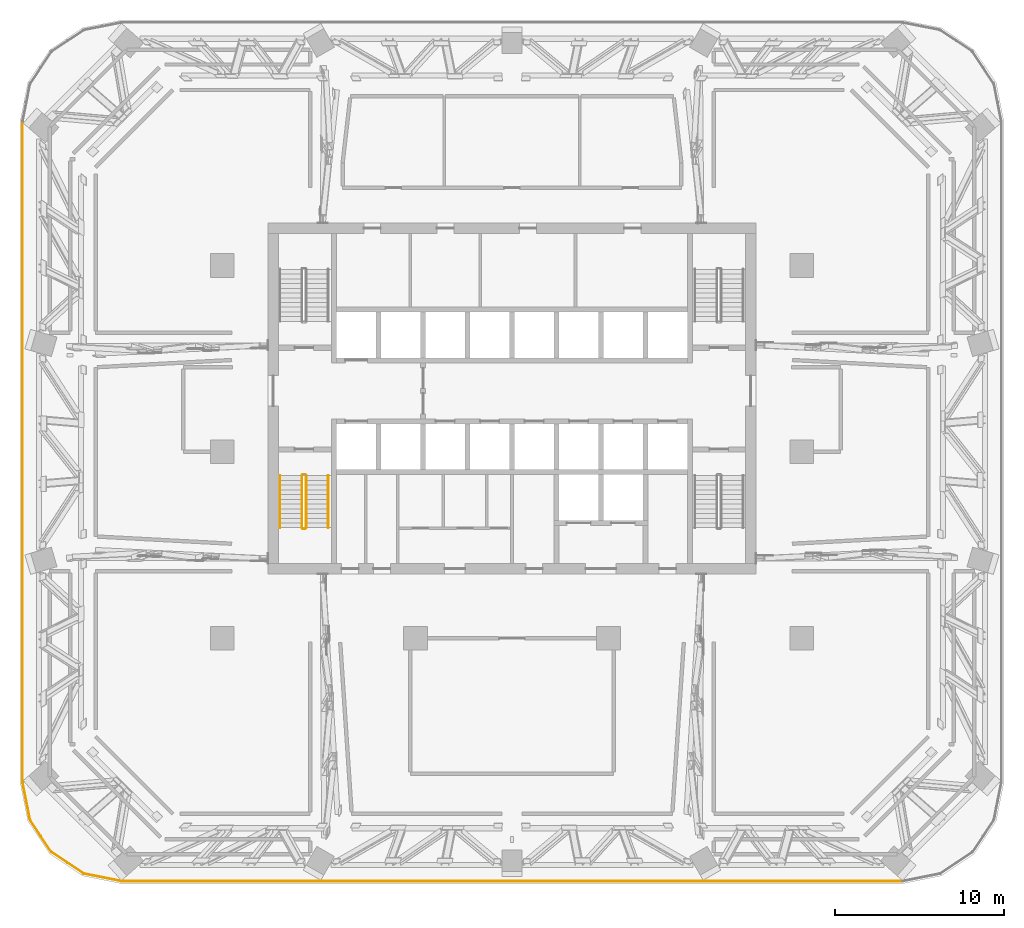
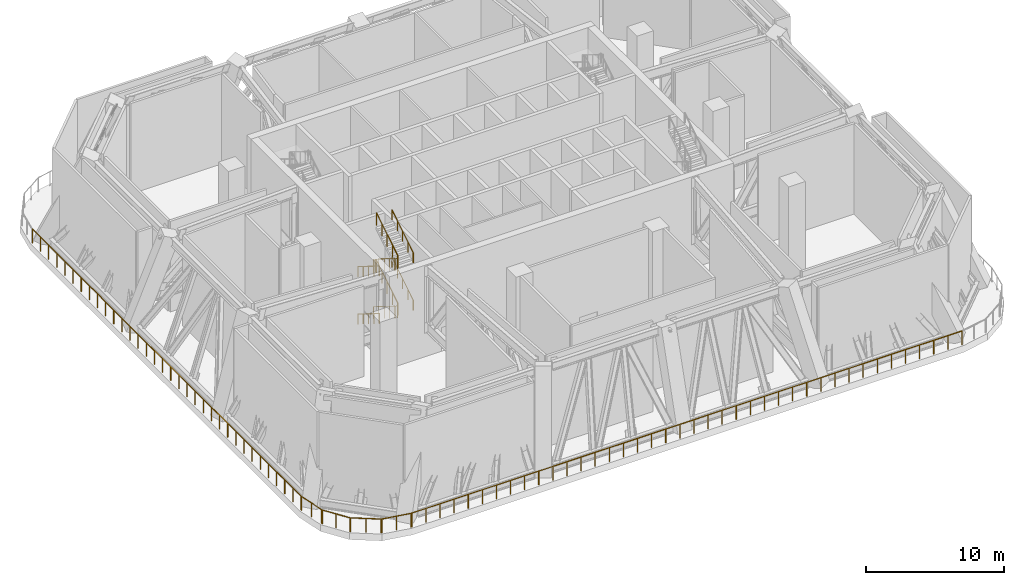
# One storey, part 18 of 24: 14 railings.
"""IFC4 building model written with IfcOpenShell, lengths in metres."""

from ifc_helpers import new_model, si_unit, direction, frame, origin, origin_2d, place, context, subcontext, project, spatial, circle, extrude, material, type_object, element, save


model = new_model("IFC4")

# Units and contexts
model_context = context("Model", 3, precision=1e-05, world=origin(), true_north=direction((0.0, 1.0)))
body_context = subcontext(model_context, "Body", "Model", "MODEL_VIEW")
ifc_project = project(units=[si_unit("LENGTHUNIT", "METRE"), si_unit("AREAUNIT", "SQUARE_METRE"), si_unit("VOLUMEUNIT", "CUBIC_METRE"), si_unit("PLANEANGLEUNIT", "RADIAN"), si_unit("MASSUNIT", "GRAM", prefix="KILO")], contexts=[model_context])

# Site, building, storey
site_placement = place(None, origin())
site = spatial("IfcSite", under=ifc_project, at=site_placement, CompositionType="ELEMENT")
building_placement = place(site_placement, origin())
building = spatial("IfcBuilding", under=site, at=building_placement, Name="Mopane Tessera Tower", CompositionType="ELEMENT")
storey_placement = place(building_placement, frame((0.0, 0.0, 148.60009765625)))
storey = spatial("IfcBuildingStorey", under=building, at=storey_placement, Name="L30", CompositionType="ELEMENT", Elevation=148.60009765625)

# Railings
ifc_material_1 = material(Name="Powder-coated steel balustrade", Category="steel")
railing_type_1 = type_object("IfcRailingType", Name="Escape stair guard 1100 mm", PredefinedType="GUARDRAIL", material=ifc_material_1)
railing_1_placement = place(storey_placement, frame((-12.39990234375, -1.39990234375, 0.1748046875)))
element("IfcRailing", 1, at=railing_1_placement, inside=storey, type_object=railing_type_1, Name="L30 ST1 stair guard 1", PredefinedType="GUARDRAIL", context=body_context, shape_type="SweptSolid", body=[
    extrude(circle(Radius=0.02392578125, at=origin_2d()), frame((0.0, 0.0, 1.076171875), z_axis=(0.0, -0.847998304005, 0.529998940003), x_axis=(1.0, 0.0, 0.0)), (0.0, 0.0, 1.0), 3.632080078125),
    extrude(circle(Radius=0.02392578125, at=origin_2d()), frame((0.0, -3.080078125, 3.0009765625), z_axis=(0.705375805398, -0.708833529934, 0.0), x_axis=(0.708833529934, 0.705375805398, 0.0)), (0.0, 0.0, 1.0), 0.070556640625),
    extrude(circle(Radius=0.02392578125, at=origin_2d()), frame((0.0498046875, -3.130126953125, 3.0009765625), z_axis=(1.0, 0.0, 0.0), x_axis=(0.0, 1.0, 0.0)), (0.0, 0.0, 1.0), 0.150146484375),
    extrude(circle(Radius=0.02099609375, at=origin_2d()), origin(), (0.0, 0.0, 1.0), 1.052001953125),
    extrude(circle(Radius=0.02099609375, at=origin_2d()), frame((0.0, -0.77001953125, 0.481201171875)), (0.0, 0.0, 1.0), 1.052001953125),
    extrude(circle(Radius=0.02099609375, at=origin_2d()), frame((0.0, -1.5400390625, 0.96240234375)), (0.0, 0.0, 1.0), 1.052001953125),
    extrude(circle(Radius=0.02099609375, at=origin_2d()), frame((0.0, -2.31005859375, 1.44384765625)), (0.0, 0.0, 1.0), 1.052001953125),
    extrude(circle(Radius=0.02099609375, at=origin_2d()), frame((0.0, -3.080078125, 1.925048828125)), (0.0, 0.0, 1.0), 1.052001953125),
    extrude(circle(Radius=0.02099609375, at=origin_2d()), frame((0.0498046875, -3.130126953125, 1.925048828125)), (0.0, 0.0, 1.0), 1.052001953125),
    extrude(circle(Radius=0.02099609375, at=origin_2d()), frame((0.199951171875, -3.130126953125, 1.925048828125)), (0.0, 0.0, 1.0), 1.052001953125),
])
railing_2_placement = place(storey_placement, frame((-12.14990234375, -4.47998046875, 2.27490234375)))
element("IfcRailing", 2, at=railing_2_placement, inside=storey, type_object=railing_type_1, Name="L30 ST1 stair guard 2", PredefinedType="GUARDRAIL", context=body_context, shape_type="SweptSolid", body=[
    extrude(circle(Radius=0.02392578125, at=origin_2d()), frame((0.0, 0.0, 1.076171875), z_axis=(0.0, 0.847998304005, 0.529998940003), x_axis=(-1.0, 0.0, 0.0)), (0.0, 0.0, 1.0), 3.632080078125),
    extrude(circle(Radius=0.02392578125, at=origin_2d()), frame((0.0, 3.080078125, 3.0009765625), z_axis=(-0.708833529934, 0.705375805398, 0.0), x_axis=(-0.705375805398, -0.708833529934, 0.0)), (0.0, 0.0, 1.0), 0.070556640625),
    extrude(circle(Radius=0.02392578125, at=origin_2d()), frame((-0.050048828125, 3.1298828125, 3.0009765625), z_axis=(-1.0, 0.0, 0.0), x_axis=(0.0, -1.0, 0.0)), (0.0, 0.0, 1.0), 0.150146484375),
    extrude(circle(Radius=0.02099609375, at=origin_2d()), origin(), (0.0, 0.0, 1.0), 1.052001953125),
    extrude(circle(Radius=0.02099609375, at=origin_2d()), frame((0.0, 0.77001953125, 0.481201171875)), (0.0, 0.0, 1.0), 1.052001953125),
    extrude(circle(Radius=0.02099609375, at=origin_2d()), frame((0.0, 1.5400390625, 0.96240234375)), (0.0, 0.0, 1.0), 1.052001953125),
    extrude(circle(Radius=0.02099609375, at=origin_2d()), frame((0.0, 2.31005859375, 1.44384765625)), (0.0, 0.0, 1.0), 1.052001953125),
    extrude(circle(Radius=0.02099609375, at=origin_2d()), frame((0.0, 3.080078125, 1.925048828125)), (0.0, 0.0, 1.0), 1.052001953125),
    extrude(circle(Radius=0.02099609375, at=origin_2d()), frame((-0.050048828125, 3.1298828125, 1.925048828125)), (0.0, 0.0, 1.0), 1.052001953125),
    extrude(circle(Radius=0.02099609375, at=origin_2d()), frame((-0.2001953125, 3.1298828125, 1.925048828125)), (0.0, 0.0, 1.0), 1.052001953125),
])
railing_3_placement = place(storey_placement, frame((-12.39990234375, -1.39990234375, 4.375)))
element("IfcRailing", 3, at=railing_3_placement, inside=storey, type_object=railing_type_1, Name="L30 ST1 stair guard 3", PredefinedType="GUARDRAIL", context=body_context, shape_type="SweptSolid", body=[
    extrude(circle(Radius=0.02392578125, at=origin_2d()), frame((0.0, 0.0, 1.076171875), z_axis=(0.0, -0.848028513186, 0.529950602248), x_axis=(1.0, 0.0, 0.0)), (0.0, 0.0, 1.0), 3.632080078125),
    extrude(circle(Radius=0.02392578125, at=origin_2d()), frame((0.0, -3.080078125, 3.0009765625), z_axis=(0.705375805398, -0.708833529934, 0.0), x_axis=(0.708833529934, 0.705375805398, 0.0)), (0.0, 0.0, 1.0), 0.070556640625),
    extrude(circle(Radius=0.02392578125, at=origin_2d()), frame((0.0498046875, -3.130126953125, 3.0009765625), z_axis=(1.0, 0.0, 0.0), x_axis=(0.0, 1.0, 0.0)), (0.0, 0.0, 1.0), 0.150146484375),
    extrude(circle(Radius=0.02099609375, at=origin_2d()), origin(), (0.0, 0.0, 1.0), 1.052001953125),
    extrude(circle(Radius=0.02099609375, at=origin_2d()), frame((0.0, -0.77001953125, 0.481201171875)), (0.0, 0.0, 1.0), 1.052001953125),
    extrude(circle(Radius=0.02099609375, at=origin_2d()), frame((0.0, -1.5400390625, 0.96240234375)), (0.0, 0.0, 1.0), 1.052001953125),
    extrude(circle(Radius=0.02099609375, at=origin_2d()), frame((0.0, -2.31005859375, 1.443603515625)), (0.0, 0.0, 1.0), 1.052001953125),
    extrude(circle(Radius=0.02099609375, at=origin_2d()), frame((0.0, -3.080078125, 1.9248046875)), (0.0, 0.0, 1.0), 1.052001953125),
    extrude(circle(Radius=0.02099609375, at=origin_2d()), frame((0.0498046875, -3.130126953125, 1.9248046875)), (0.0, 0.0, 1.0), 1.052001953125),
    extrude(circle(Radius=0.02099609375, at=origin_2d()), frame((0.199951171875, -3.130126953125, 1.9248046875)), (0.0, 0.0, 1.0), 1.052001953125),
])
railing_4_placement = place(storey_placement, frame((-12.14990234375, -4.47998046875, 6.474853515625)))
element("IfcRailing", 4, at=railing_4_placement, inside=storey, type_object=railing_type_1, Name="L30 ST1 stair guard 4", PredefinedType="GUARDRAIL", context=body_context, shape_type="SweptSolid", body=[
    extrude(circle(Radius=0.02392578125, at=origin_2d()), frame((0.0, 0.0, 1.076171875), z_axis=(0.0, 0.847998304005, 0.529998940003), x_axis=(-1.0, 0.0, 0.0)), (0.0, 0.0, 1.0), 3.632080078125),
    extrude(circle(Radius=0.02099609375, at=origin_2d()), origin(), (0.0, 0.0, 1.0), 1.052001953125),
    extrude(circle(Radius=0.02099609375, at=origin_2d()), frame((0.0, 0.77001953125, 0.481201171875)), (0.0, 0.0, 1.0), 1.052001953125),
    extrude(circle(Radius=0.02099609375, at=origin_2d()), frame((0.0, 1.5400390625, 0.96240234375)), (0.0, 0.0, 1.0), 1.052001953125),
    extrude(circle(Radius=0.02099609375, at=origin_2d()), frame((0.0, 2.31005859375, 1.44384765625)), (0.0, 0.0, 1.0), 1.052001953125),
    extrude(circle(Radius=0.02099609375, at=origin_2d()), frame((0.0, 3.080078125, 1.925048828125)), (0.0, 0.0, 1.0), 1.052001953125),
])
ifc_material_2 = material(Name="Powder-coated steel balustrade", Category="steel")
railing_type_2 = type_object("IfcRailingType", Name="Escape stair handrail 900 mm", PredefinedType="HANDRAIL", material=ifc_material_2)
railing_5_placement = place(storey_placement, frame((-13.699951171875, -1.39990234375, 0.1748046875)))
element("IfcRailing", 5, at=railing_5_placement, inside=storey, type_object=railing_type_2, Name="L30 ST1 stair handrail 1", PredefinedType="HANDRAIL", context=body_context, shape_type="SweptSolid", body=[
    extrude(circle(Radius=0.02392578125, at=origin_2d()), frame((0.0, 0.0, 0.8759765625), z_axis=(0.0, -0.847998304005, 0.529998940003), x_axis=(1.0, 0.0, 0.0)), (0.0, 0.0, 1.0), 3.632080078125),
    extrude(circle(Radius=0.02099609375, at=origin_2d()), origin(), (0.0, 0.0, 1.0), 0.851806640625),
    extrude(circle(Radius=0.02099609375, at=origin_2d()), frame((0.0, -0.77001953125, 0.481201171875)), (0.0, 0.0, 1.0), 0.851806640625),
    extrude(circle(Radius=0.02099609375, at=origin_2d()), frame((0.0, -1.5400390625, 0.96240234375)), (0.0, 0.0, 1.0), 0.851806640625),
    extrude(circle(Radius=0.02099609375, at=origin_2d()), frame((0.0, -2.31005859375, 1.44384765625)), (0.0, 0.0, 1.0), 0.851806640625),
    extrude(circle(Radius=0.02099609375, at=origin_2d()), frame((0.0, -3.080078125, 1.925048828125)), (0.0, 0.0, 1.0), 0.851806640625),
])
railing_6_placement = place(storey_placement, frame((-10.85009765625, -4.47998046875, 2.27490234375)))
element("IfcRailing", 6, at=railing_6_placement, inside=storey, type_object=railing_type_2, Name="L30 ST1 stair handrail 2", PredefinedType="HANDRAIL", context=body_context, shape_type="SweptSolid", body=[
    extrude(circle(Radius=0.02392578125, at=origin_2d()), frame((0.0, 0.0, 0.8759765625), z_axis=(0.0, 0.847998304005, 0.529998940003), x_axis=(-1.0, 0.0, 0.0)), (0.0, 0.0, 1.0), 3.632080078125),
    extrude(circle(Radius=0.02099609375, at=origin_2d()), origin(), (0.0, 0.0, 1.0), 0.851806640625),
    extrude(circle(Radius=0.02099609375, at=origin_2d()), frame((0.0, 0.77001953125, 0.481201171875)), (0.0, 0.0, 1.0), 0.851806640625),
    extrude(circle(Radius=0.02099609375, at=origin_2d()), frame((0.0, 1.5400390625, 0.96240234375)), (0.0, 0.0, 1.0), 0.851806640625),
    extrude(circle(Radius=0.02099609375, at=origin_2d()), frame((0.0, 2.31005859375, 1.44384765625)), (0.0, 0.0, 1.0), 0.851806640625),
    extrude(circle(Radius=0.02099609375, at=origin_2d()), frame((0.0, 3.080078125, 1.925048828125)), (0.0, 0.0, 1.0), 0.851806640625),
])
railing_7_placement = place(storey_placement, frame((-13.699951171875, -1.39990234375, 4.375)))
element("IfcRailing", 7, at=railing_7_placement, inside=storey, type_object=railing_type_2, Name="L30 ST1 stair handrail 3", PredefinedType="HANDRAIL", context=body_context, shape_type="SweptSolid", body=[
    extrude(circle(Radius=0.02392578125, at=origin_2d()), frame((0.0, 0.0, 0.8759765625), z_axis=(0.0, -0.848028513186, 0.529950602248), x_axis=(1.0, 0.0, 0.0)), (0.0, 0.0, 1.0), 3.632080078125),
    extrude(circle(Radius=0.02099609375, at=origin_2d()), origin(), (0.0, 0.0, 1.0), 0.851806640625),
    extrude(circle(Radius=0.02099609375, at=origin_2d()), frame((0.0, -0.77001953125, 0.481201171875)), (0.0, 0.0, 1.0), 0.851806640625),
    extrude(circle(Radius=0.02099609375, at=origin_2d()), frame((0.0, -1.5400390625, 0.96240234375)), (0.0, 0.0, 1.0), 0.851806640625),
    extrude(circle(Radius=0.02099609375, at=origin_2d()), frame((0.0, -2.31005859375, 1.443603515625)), (0.0, 0.0, 1.0), 0.851806640625),
    extrude(circle(Radius=0.02099609375, at=origin_2d()), frame((0.0, -3.080078125, 1.9248046875)), (0.0, 0.0, 1.0), 0.851806640625),
])
railing_8_placement = place(storey_placement, frame((-10.85009765625, -4.47998046875, 6.474853515625)))
element("IfcRailing", 8, at=railing_8_placement, inside=storey, type_object=railing_type_2, Name="L30 ST1 stair handrail 4", PredefinedType="HANDRAIL", context=body_context, shape_type="SweptSolid", body=[
    extrude(circle(Radius=0.02392578125, at=origin_2d()), frame((0.0, 0.0, 0.8759765625), z_axis=(0.0, 0.847998304005, 0.529998940003), x_axis=(-1.0, 0.0, 0.0)), (0.0, 0.0, 1.0), 3.632080078125),
    extrude(circle(Radius=0.02099609375, at=origin_2d()), origin(), (0.0, 0.0, 1.0), 0.851806640625),
    extrude(circle(Radius=0.02099609375, at=origin_2d()), frame((0.0, 0.77001953125, 0.481201171875)), (0.0, 0.0, 1.0), 0.851806640625),
    extrude(circle(Radius=0.02099609375, at=origin_2d()), frame((0.0, 1.5400390625, 0.96240234375)), (0.0, 0.0, 1.0), 0.851806640625),
    extrude(circle(Radius=0.02099609375, at=origin_2d()), frame((0.0, 2.31005859375, 1.44384765625)), (0.0, 0.0, 1.0), 0.851806640625),
    extrude(circle(Radius=0.02099609375, at=origin_2d()), frame((0.0, 3.080078125, 1.925048828125)), (0.0, 0.0, 1.0), 0.851806640625),
])
ifc_material_3 = material(Name="Stainless steel S316", Category="steel")
railing_type_3 = type_object("IfcRailingType", Name="Wind floor guard 1250", PredefinedType="GUARDRAIL", material=ifc_material_3)
railing_9_placement = place(storey_placement, frame((-23.02001953125, -25.35009765625, 0.0)))
element("IfcRailing", 9, at=railing_9_placement, inside=storey, type_object=railing_type_3, Name="e:og:L30:0", PredefinedType="GUARDRAIL", context=body_context, shape_type="SweptSolid", body=[
    extrude(circle(Radius=0.02392578125, at=origin_2d()), frame((0.0, 0.0, 1.22607421875), z_axis=(1.0, 0.0, 0.0), x_axis=(0.0, 1.0, 0.0)), (0.0, 0.0, 1.0), 46.0400390625),
    extrude(circle(Radius=0.02099609375, at=origin_2d()), origin(), (0.0, 0.0, 1.0), 1.201904296875),
    extrude(circle(Radius=0.02099609375, at=origin_2d()), frame((1.180419921875, 0.0, 0.0)), (0.0, 0.0, 1.0), 1.201904296875),
    extrude(circle(Radius=0.02099609375, at=origin_2d()), frame((2.361083984375, 0.0, 0.0)), (0.0, 0.0, 1.0), 1.201904296875),
    extrude(circle(Radius=0.02099609375, at=origin_2d()), frame((3.54150390625, 0.0, 0.0)), (0.0, 0.0, 1.0), 1.201904296875),
    extrude(circle(Radius=0.02099609375, at=origin_2d()), frame((4.72216796875, 0.0, 0.0)), (0.0, 0.0, 1.0), 1.201904296875),
    extrude(circle(Radius=0.02099609375, at=origin_2d()), frame((5.902587890625, 0.0, 0.0)), (0.0, 0.0, 1.0), 1.201904296875),
    extrude(circle(Radius=0.02099609375, at=origin_2d()), frame((7.0830078125, 0.0, 0.0)), (0.0, 0.0, 1.0), 1.201904296875),
    extrude(circle(Radius=0.02099609375, at=origin_2d()), frame((8.263671875, 0.0, 0.0)), (0.0, 0.0, 1.0), 1.201904296875),
    extrude(circle(Radius=0.02099609375, at=origin_2d()), frame((9.444091796875, 0.0, 0.0)), (0.0, 0.0, 1.0), 1.201904296875),
    extrude(circle(Radius=0.02099609375, at=origin_2d()), frame((10.62451171875, 0.0, 0.0)), (0.0, 0.0, 1.0), 1.201904296875),
    extrude(circle(Radius=0.02099609375, at=origin_2d()), frame((11.80517578125, 0.0, 0.0)), (0.0, 0.0, 1.0), 1.201904296875),
    extrude(circle(Radius=0.02099609375, at=origin_2d()), frame((12.985595703125, 0.0, 0.0)), (0.0, 0.0, 1.0), 1.201904296875),
    extrude(circle(Radius=0.02099609375, at=origin_2d()), frame((14.166259765625, 0.0, 0.0)), (0.0, 0.0, 1.0), 1.201904296875),
    extrude(circle(Radius=0.02099609375, at=origin_2d()), frame((15.3466796875, 0.0, 0.0)), (0.0, 0.0, 1.0), 1.201904296875),
    extrude(circle(Radius=0.02099609375, at=origin_2d()), frame((16.527099609375, 0.0, 0.0)), (0.0, 0.0, 1.0), 1.201904296875),
    extrude(circle(Radius=0.02099609375, at=origin_2d()), frame((17.707763671875, 0.0, 0.0)), (0.0, 0.0, 1.0), 1.201904296875),
    extrude(circle(Radius=0.02099609375, at=origin_2d()), frame((18.88818359375, 0.0, 0.0)), (0.0, 0.0, 1.0), 1.201904296875),
    extrude(circle(Radius=0.02099609375, at=origin_2d()), frame((20.06884765625, 0.0, 0.0)), (0.0, 0.0, 1.0), 1.201904296875),
    extrude(circle(Radius=0.02099609375, at=origin_2d()), frame((21.249267578125, 0.0, 0.0)), (0.0, 0.0, 1.0), 1.201904296875),
    extrude(circle(Radius=0.02099609375, at=origin_2d()), frame((22.4296875, 0.0, 0.0)), (0.0, 0.0, 1.0), 1.201904296875),
    extrude(circle(Radius=0.02099609375, at=origin_2d()), frame((23.6103515625, 0.0, 0.0)), (0.0, 0.0, 1.0), 1.201904296875),
    extrude(circle(Radius=0.02099609375, at=origin_2d()), frame((24.790771484375, 0.0, 0.0)), (0.0, 0.0, 1.0), 1.201904296875),
    extrude(circle(Radius=0.02099609375, at=origin_2d()), frame((25.97119140625, 0.0, 0.0)), (0.0, 0.0, 1.0), 1.201904296875),
    extrude(circle(Radius=0.02099609375, at=origin_2d()), frame((27.15185546875, 0.0, 0.0)), (0.0, 0.0, 1.0), 1.201904296875),
    extrude(circle(Radius=0.02099609375, at=origin_2d()), frame((28.332275390625, 0.0, 0.0)), (0.0, 0.0, 1.0), 1.201904296875),
    extrude(circle(Radius=0.02099609375, at=origin_2d()), frame((29.512939453125, 0.0, 0.0)), (0.0, 0.0, 1.0), 1.201904296875),
    extrude(circle(Radius=0.02099609375, at=origin_2d()), frame((30.693359375, 0.0, 0.0)), (0.0, 0.0, 1.0), 1.201904296875),
    extrude(circle(Radius=0.02099609375, at=origin_2d()), frame((31.873779296875, 0.0, 0.0)), (0.0, 0.0, 1.0), 1.201904296875),
    extrude(circle(Radius=0.02099609375, at=origin_2d()), frame((33.054443359375, 0.0, 0.0)), (0.0, 0.0, 1.0), 1.201904296875),
    extrude(circle(Radius=0.02099609375, at=origin_2d()), frame((34.23486328125, 0.0, 0.0)), (0.0, 0.0, 1.0), 1.201904296875),
    extrude(circle(Radius=0.02099609375, at=origin_2d()), frame((35.41552734375, 0.0, 0.0)), (0.0, 0.0, 1.0), 1.201904296875),
    extrude(circle(Radius=0.02099609375, at=origin_2d()), frame((36.595947265625, 0.0, 0.0)), (0.0, 0.0, 1.0), 1.201904296875),
    extrude(circle(Radius=0.02099609375, at=origin_2d()), frame((37.7763671875, 0.0, 0.0)), (0.0, 0.0, 1.0), 1.201904296875),
    extrude(circle(Radius=0.02099609375, at=origin_2d()), frame((38.95703125, 0.0, 0.0)), (0.0, 0.0, 1.0), 1.201904296875),
    extrude(circle(Radius=0.02099609375, at=origin_2d()), frame((40.137451171875, 0.0, 0.0)), (0.0, 0.0, 1.0), 1.201904296875),
    extrude(circle(Radius=0.02099609375, at=origin_2d()), frame((41.31787109375, 0.0, 0.0)), (0.0, 0.0, 1.0), 1.201904296875),
    extrude(circle(Radius=0.02099609375, at=origin_2d()), frame((42.49853515625, 0.0, 0.0)), (0.0, 0.0, 1.0), 1.201904296875),
    extrude(circle(Radius=0.02099609375, at=origin_2d()), frame((43.678955078125, 0.0, 0.0)), (0.0, 0.0, 1.0), 1.201904296875),
    extrude(circle(Radius=0.02099609375, at=origin_2d()), frame((44.859619140625, 0.0, 0.0)), (0.0, 0.0, 1.0), 1.201904296875),
    extrude(circle(Radius=0.02099609375, at=origin_2d()), frame((46.0400390625, 0.0, 0.0)), (0.0, 0.0, 1.0), 1.201904296875),
])
railing_10_placement = place(storey_placement, frame((-28.89990234375, 19.469970703125, 0.0)))
element("IfcRailing", 10, at=railing_10_placement, inside=storey, type_object=railing_type_3, Name="e:og:L30:15", PredefinedType="GUARDRAIL", context=body_context, shape_type="SweptSolid", body=[
    extrude(circle(Radius=0.02392578125, at=origin_2d()), frame((0.0, 0.0, 1.22607421875), z_axis=(0.0, -1.0, 0.0), x_axis=(1.0, 0.0, 0.0)), (0.0, 0.0, 1.0), 38.93994140625),
    extrude(circle(Radius=0.02099609375, at=origin_2d()), origin(), (0.0, 0.0, 1.0), 1.201904296875),
    extrude(circle(Radius=0.02099609375, at=origin_2d()), frame((0.0, -1.179931640625, 0.0)), (0.0, 0.0, 1.0), 1.201904296875),
    extrude(circle(Radius=0.02099609375, at=origin_2d()), frame((0.0, -2.360107421875, 0.0)), (0.0, 0.0, 1.0), 1.201904296875),
    extrude(circle(Radius=0.02099609375, at=origin_2d()), frame((0.0, -3.5400390625, 0.0)), (0.0, 0.0, 1.0), 1.201904296875),
    extrude(circle(Radius=0.02099609375, at=origin_2d()), frame((0.0, -4.719970703125, 0.0)), (0.0, 0.0, 1.0), 1.201904296875),
    extrude(circle(Radius=0.02099609375, at=origin_2d()), frame((0.0, -5.89990234375, 0.0)), (0.0, 0.0, 1.0), 1.201904296875),
    extrude(circle(Radius=0.02099609375, at=origin_2d()), frame((0.0, -7.080078125, 0.0)), (0.0, 0.0, 1.0), 1.201904296875),
    extrude(circle(Radius=0.02099609375, at=origin_2d()), frame((0.0, -8.260009765625, 0.0)), (0.0, 0.0, 1.0), 1.201904296875),
    extrude(circle(Radius=0.02099609375, at=origin_2d()), frame((0.0, -9.43994140625, 0.0)), (0.0, 0.0, 1.0), 1.201904296875),
    extrude(circle(Radius=0.02099609375, at=origin_2d()), frame((0.0, -10.619873046875, 0.0)), (0.0, 0.0, 1.0), 1.201904296875),
    extrude(circle(Radius=0.02099609375, at=origin_2d()), frame((0.0, -11.800048828125, 0.0)), (0.0, 0.0, 1.0), 1.201904296875),
    extrude(circle(Radius=0.02099609375, at=origin_2d()), frame((0.0, -12.97998046875, 0.0)), (0.0, 0.0, 1.0), 1.201904296875),
    extrude(circle(Radius=0.02099609375, at=origin_2d()), frame((0.0, -14.159912109375, 0.0)), (0.0, 0.0, 1.0), 1.201904296875),
    extrude(circle(Radius=0.02099609375, at=origin_2d()), frame((0.0, -15.340087890625, 0.0)), (0.0, 0.0, 1.0), 1.201904296875),
    extrude(circle(Radius=0.02099609375, at=origin_2d()), frame((0.0, -16.52001953125, 0.0)), (0.0, 0.0, 1.0), 1.201904296875),
    extrude(circle(Radius=0.02099609375, at=origin_2d()), frame((0.0, -17.699951171875, 0.0)), (0.0, 0.0, 1.0), 1.201904296875),
    extrude(circle(Radius=0.02099609375, at=origin_2d()), frame((0.0, -18.8798828125, 0.0)), (0.0, 0.0, 1.0), 1.201904296875),
    extrude(circle(Radius=0.02099609375, at=origin_2d()), frame((0.0, -20.06005859375, 0.0)), (0.0, 0.0, 1.0), 1.201904296875),
    extrude(circle(Radius=0.02099609375, at=origin_2d()), frame((0.0, -21.239990234375, 0.0)), (0.0, 0.0, 1.0), 1.201904296875),
    extrude(circle(Radius=0.02099609375, at=origin_2d()), frame((0.0, -22.419921875, 0.0)), (0.0, 0.0, 1.0), 1.201904296875),
    extrude(circle(Radius=0.02099609375, at=origin_2d()), frame((0.0, -23.599853515625, 0.0)), (0.0, 0.0, 1.0), 1.201904296875),
    extrude(circle(Radius=0.02099609375, at=origin_2d()), frame((0.0, -24.780029296875, 0.0)), (0.0, 0.0, 1.0), 1.201904296875),
    extrude(circle(Radius=0.02099609375, at=origin_2d()), frame((0.0, -25.9599609375, 0.0)), (0.0, 0.0, 1.0), 1.201904296875),
    extrude(circle(Radius=0.02099609375, at=origin_2d()), frame((0.0, -27.139892578125, 0.0)), (0.0, 0.0, 1.0), 1.201904296875),
    extrude(circle(Radius=0.02099609375, at=origin_2d()), frame((0.0, -28.320068359375, 0.0)), (0.0, 0.0, 1.0), 1.201904296875),
    extrude(circle(Radius=0.02099609375, at=origin_2d()), frame((0.0, -29.5, 0.0)), (0.0, 0.0, 1.0), 1.201904296875),
    extrude(circle(Radius=0.02099609375, at=origin_2d()), frame((0.0, -30.679931640625, 0.0)), (0.0, 0.0, 1.0), 1.201904296875),
    extrude(circle(Radius=0.02099609375, at=origin_2d()), frame((0.0, -31.85986328125, 0.0)), (0.0, 0.0, 1.0), 1.201904296875),
    extrude(circle(Radius=0.02099609375, at=origin_2d()), frame((0.0, -33.0400390625, 0.0)), (0.0, 0.0, 1.0), 1.201904296875),
    extrude(circle(Radius=0.02099609375, at=origin_2d()), frame((0.0, -34.219970703125, 0.0)), (0.0, 0.0, 1.0), 1.201904296875),
    extrude(circle(Radius=0.02099609375, at=origin_2d()), frame((0.0, -35.39990234375, 0.0)), (0.0, 0.0, 1.0), 1.201904296875),
    extrude(circle(Radius=0.02099609375, at=origin_2d()), frame((0.0, -36.579833984375, 0.0)), (0.0, 0.0, 1.0), 1.201904296875),
    extrude(circle(Radius=0.02099609375, at=origin_2d()), frame((0.0, -37.760009765625, 0.0)), (0.0, 0.0, 1.0), 1.201904296875),
    extrude(circle(Radius=0.02099609375, at=origin_2d()), frame((0.0, -38.93994140625, 0.0)), (0.0, 0.0, 1.0), 1.201904296875),
])
railing_11_placement = place(storey_placement, frame((-28.89404296875, -19.529541015625, 0.0)))
element("IfcRailing", 11, at=railing_11_placement, inside=storey, type_object=railing_type_3, Name="e:og:L30:16", PredefinedType="GUARDRAIL", context=body_context, shape_type="SweptSolid", body=[
    extrude(circle(Radius=0.02392578125, at=origin_2d()), frame((0.0, 0.0, 1.22607421875), z_axis=(0.195101986683, -0.980782960085, 0.0), x_axis=(0.980782960085, 0.195101986683, 0.0)), (0.0, 0.0, 1.0), 2.222412109375),
    extrude(circle(Radius=0.02099609375, at=origin_2d()), origin(), (0.0, 0.0, 1.0), 1.201904296875),
    extrude(circle(Radius=0.02099609375, at=origin_2d()), frame((0.216796875, -1.08984375, 0.0)), (0.0, 0.0, 1.0), 1.201904296875),
    extrude(circle(Radius=0.02099609375, at=origin_2d()), frame((0.43359375, -2.1796875, 0.0)), (0.0, 0.0, 1.0), 1.201904296875),
])
railing_12_placement = place(storey_placement, frame((-28.43798828125, -21.763671875, 0.0)))
element("IfcRailing", 12, at=railing_12_placement, inside=storey, type_object=railing_type_3, Name="e:og:L30:17", PredefinedType="GUARDRAIL", context=body_context, shape_type="SweptSolid", body=[
    extrude(circle(Radius=0.02392578125, at=origin_2d()), frame((0.0, 0.0, 1.22607421875), z_axis=(0.555612448047, -0.831441403573, 0.0), x_axis=(0.831441403573, 0.555612448047, 0.0)), (0.0, 0.0, 1.0), 2.222412109375),
    extrude(circle(Radius=0.02099609375, at=origin_2d()), origin(), (0.0, 0.0, 1.0), 1.201904296875),
    extrude(circle(Radius=0.02099609375, at=origin_2d()), frame((0.617431640625, -0.923828125, 0.0)), (0.0, 0.0, 1.0), 1.201904296875),
    extrude(circle(Radius=0.02099609375, at=origin_2d()), frame((1.23486328125, -1.847900390625, 0.0)), (0.0, 0.0, 1.0), 1.201904296875),
])
railing_13_placement = place(storey_placement, frame((-27.16162109375, -23.6533203125, 0.0)))
element("IfcRailing", 13, at=railing_13_placement, inside=storey, type_object=railing_type_3, Name="e:og:L30:18", PredefinedType="GUARDRAIL", context=body_context, shape_type="SweptSolid", body=[
    extrude(circle(Radius=0.02392578125, at=origin_2d()), frame((0.0, 0.0, 1.22607421875), z_axis=(0.831492148611, -0.55553650357, 0.0), x_axis=(0.55553650357, 0.831492148611, 0.0)), (0.0, 0.0, 1.0), 2.222412109375),
    extrude(circle(Radius=0.02099609375, at=origin_2d()), origin(), (0.0, 0.0, 1.0), 1.201904296875),
    extrude(circle(Radius=0.02099609375, at=origin_2d()), frame((0.923828125, -0.6171875, 0.0)), (0.0, 0.0, 1.0), 1.201904296875),
    extrude(circle(Radius=0.02099609375, at=origin_2d()), frame((1.847900390625, -1.234619140625, 0.0)), (0.0, 0.0, 1.0), 1.201904296875),
])
railing_14_placement = place(storey_placement, frame((-25.25927734375, -24.91064453125, 0.0)))
element("IfcRailing", 14, at=railing_14_placement, inside=storey, type_object=railing_type_3, Name="e:og:L30:19", PredefinedType="GUARDRAIL", context=body_context, shape_type="SweptSolid", body=[
    extrude(circle(Radius=0.02392578125, at=origin_2d()), frame((0.0, 0.0, 1.22607421875), z_axis=(0.980787141005, -0.195080967905, 0.0), x_axis=(0.195080967905, 0.980787141005, 0.0)), (0.0, 0.0, 1.0), 2.22265625),
    extrude(circle(Radius=0.02099609375, at=origin_2d()), origin(), (0.0, 0.0, 1.0), 1.201904296875),
    extrude(circle(Radius=0.02099609375, at=origin_2d()), frame((1.08984375, -0.216796875, 0.0)), (0.0, 0.0, 1.0), 1.201904296875),
    extrude(circle(Radius=0.02099609375, at=origin_2d()), frame((2.179931640625, -0.43359375, 0.0)), (0.0, 0.0, 1.0), 1.201904296875),
])

save(model, "model.ifc")
